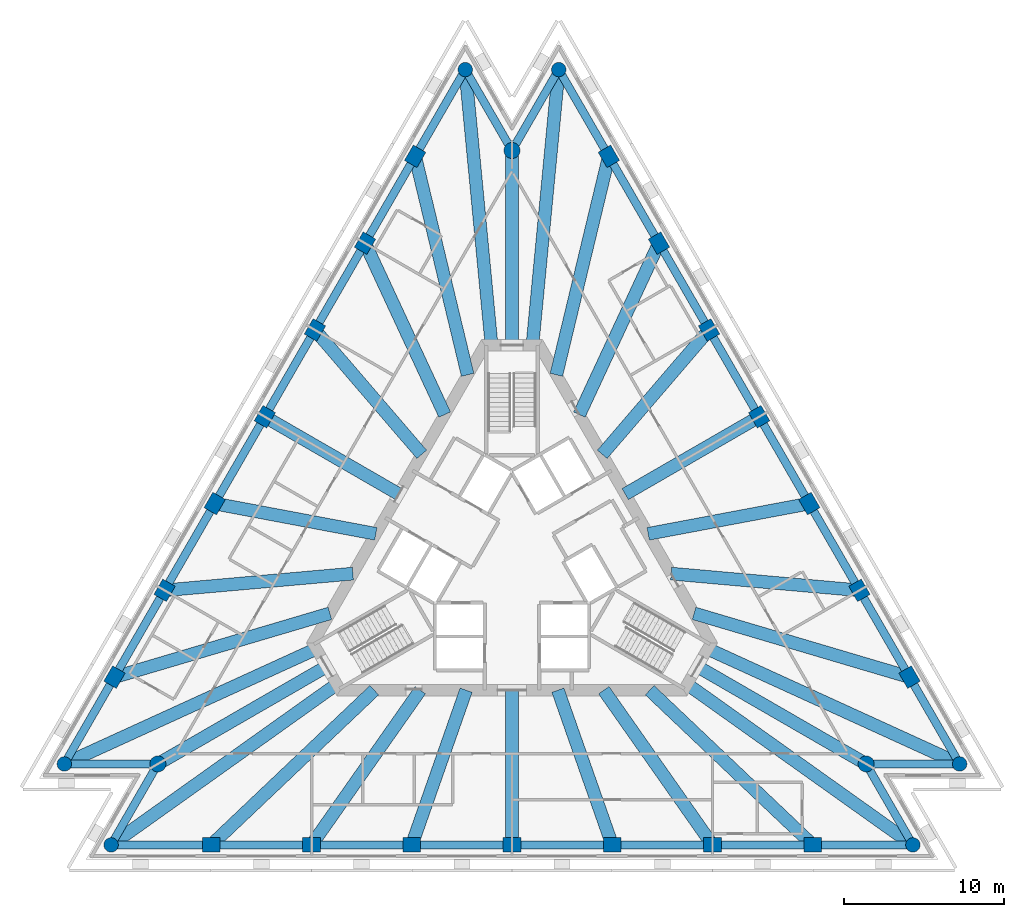
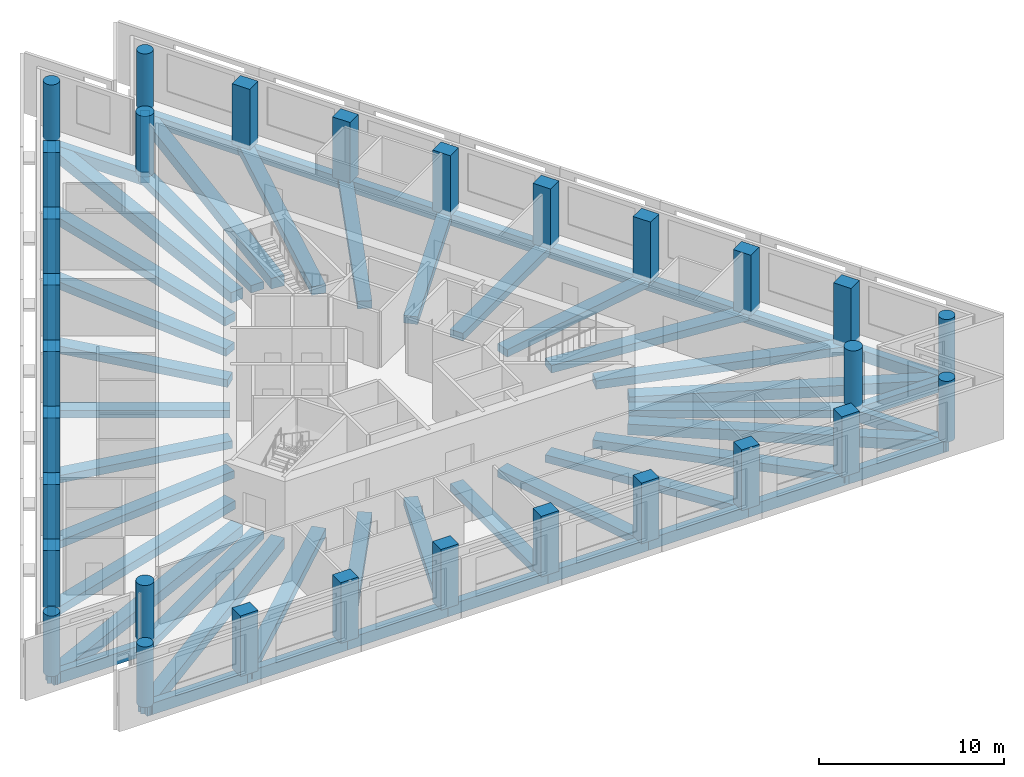
# One storey, part 1 of 10: 60 beams, 30 columns.
"""IFC4 building model written with IfcOpenShell, lengths in metres."""

import ifcopenshell
import ifcopenshell.guid

model = None  # the IFC model being written
_history = None  # IfcOwnerHistory: only IFC2X3 demands one
_inside = {}  # id of a spatial element -> (the spatial element, [elements in it])
_under = {}  # id of a project, library or spatial element -> (it, [spatial elements below it])
_declared = {}  # id of a project -> (the project, [libraries it declares])
_typed = {}  # id of a type object -> (the type object, [elements of that type])
_made_of = {}  # id of a material, layer set ... -> (it, [elements and type objects made of it])


def new_model(schema):
    """Start an empty IFC model of exactly this schema.

    Asked for "IFC4X3", IfcOpenShell would pick the latest addendum, in which some entities
    have other attributes; the version numbers below select the first issue.
    IFC2X3 requires an IfcOwnerHistory on every rooted entity: one is made here for all.
    """
    global model, _history
    if schema == "IFC4X3":
        model = ifcopenshell.file(schema_version=(4, 3, 0, 0))
    else:
        model = ifcopenshell.file(schema=schema)
    _inside.clear()
    _under.clear()
    _declared.clear()
    _typed.clear()
    _made_of.clear()
    _history = None
    if model.schema == "IFC2X3":
        org = make("IfcOrganization", Name="unknown")
        user = make(
            "IfcPersonAndOrganization",
            ThePerson=make("IfcPerson", FamilyName="unknown"),
            TheOrganization=org,
        )
        app = make(
            "IfcApplication",
            ApplicationDeveloper=org,
            Version="unknown",
            ApplicationFullName="unknown",
            ApplicationIdentifier="unknown",
        )
        _history = make(
            "IfcOwnerHistory",
            OwningUser=user,
            OwningApplication=app,
            ChangeAction="ADDED",
            CreationDate=0,
        )
    return model


def make(cls, **values):
    """One entity of the class cls with the attributes given. An attribute that is None is left unset."""
    return model.create_entity(
        cls, **{name: value for name, value in values.items() if value is not None}
    )


def rooted(cls, **values):
    """An entity with a GlobalId (a new one), such as an element, a storey or a relation."""
    return make(cls, GlobalId=ifcopenshell.guid.new(), OwnerHistory=_history, **values)


def si_unit(unit_type, name, prefix=None):
    """IfcSIUnit, for example si_unit("LENGTHUNIT", "METRE", prefix="MILLI")."""
    return make("IfcSIUnit", UnitType=unit_type, Prefix=prefix, Name=name)


def assignment(units):
    """IfcUnitAssignment: the units of a project."""
    return None if units is None else make("IfcUnitAssignment", Units=units)


def point(xyz):
    """IfcCartesianPoint."""
    return None if xyz is None else make("IfcCartesianPoint", Coordinates=xyz)


def direction(xyz):
    """IfcDirection."""
    return None if xyz is None else make("IfcDirection", DirectionRatios=xyz)


def frame(location, z_axis=None, x_axis=None):
    """IfcAxis2Placement3D, a coordinate frame: its origin and axes. An axis left out is left unset."""
    return make(
        "IfcAxis2Placement3D",
        Location=point(location),
        Axis=direction(z_axis),
        RefDirection=direction(x_axis),
    )


def frame_2d(location, x_axis=None):
    """IfcAxis2Placement2D, a coordinate frame in the plane: its origin and x axis."""
    return make(
        "IfcAxis2Placement2D", Location=point(location), RefDirection=direction(x_axis)
    )


def origin():
    """The frame at (0, 0, 0) with its axes left unset."""
    return frame((0.0, 0.0, 0.0))


def origin_2d():
    """The frame at (0, 0) in the plane with its x axis left unset."""
    return frame_2d((0.0, 0.0))


def place(relative_to, where):
    """IfcLocalPlacement: puts the frame where relative to a parent placement (None: the world)."""
    return make(
        "IfcLocalPlacement", PlacementRelTo=relative_to, RelativePlacement=where
    )


def context(
    kind, dimensions, precision=None, world=None, true_north=None, identifier=None
):
    """IfcGeometricRepresentationContext, for example the 3D "Model" context."""
    return make(
        "IfcGeometricRepresentationContext",
        ContextIdentifier=identifier,
        ContextType=kind,
        CoordinateSpaceDimension=dimensions,
        Precision=precision,
        WorldCoordinateSystem=world,
        TrueNorth=true_north,
    )


def subcontext(parent, identifier, kind, view, scale=None):
    """IfcGeometricRepresentationSubContext, for example "Body" below "Model"."""
    return make(
        "IfcGeometricRepresentationSubContext",
        ContextIdentifier=identifier,
        ContextType=kind,
        ParentContext=parent,
        TargetScale=scale,
        TargetView=view,
    )


def project(units=None, contexts=None):
    """IfcProject with its units and contexts."""
    return rooted(
        "IfcProject",
        Name="project",
        RepresentationContexts=contexts,
        UnitsInContext=assignment(units),
    )


def spatial(cls, under=None, at=None, **own):
    """A site, building, storey or space (cls), placed at a placement, below another one or the project."""
    s = rooted(cls, ObjectPlacement=at, **own)
    if under is not None:
        _under.setdefault(under.id(), (under, []))[1].append(s)
    return s


def profile(cls, at=None, kind="AREA", **sizes):
    """A parametric profile (cls). Its sizes go by their IFC names, for example OverallWidth=200.0."""
    return make(cls, ProfileType=kind, Position=at, **sizes)


def rectangle(**sizes):
    """IfcRectangleProfileDef."""
    return profile("IfcRectangleProfileDef", **sizes)


def circle(**sizes):
    """IfcCircleProfileDef."""
    return profile("IfcCircleProfileDef", **sizes)


def extrude(swept, where, along, depth):
    """IfcExtrudedAreaSolid: the profile swept, set in the frame where, extruded along a direction by depth."""
    return make(
        "IfcExtrudedAreaSolid",
        SweptArea=swept,
        Position=where,
        ExtrudedDirection=direction(along),
        Depth=depth,
    )


def shape(context_of_items, identifier, shape_type, items):
    """IfcShapeRepresentation: the items that make up one representation, for example the "Body"."""
    return make(
        "IfcShapeRepresentation",
        ContextOfItems=context_of_items,
        RepresentationIdentifier=identifier,
        RepresentationType=shape_type,
        Items=items,
    )


def material(Name=None, Category=None):
    """IfcMaterial."""
    return make("IfcMaterial", Name=Name, Category=Category)


def material_profile(
    of_material, cross_section, Name=None, Category=None, Priority=None
):
    """IfcMaterialProfile: a cross section and its material."""
    return make(
        "IfcMaterialProfile",
        Name=Name,
        Material=of_material,
        Profile=cross_section,
        Priority=Priority,
        Category=Category,
    )


def profile_set(profiles, Name=None, composite=None):
    """IfcMaterialProfileSet."""
    return make(
        "IfcMaterialProfileSet",
        Name=Name,
        MaterialProfiles=profiles,
        CompositeProfile=composite,
    )


def made_of(thing, what):
    """Note that an element or type object is made of a material, layer set ...; save() writes the relation."""
    if what is not None:
        _made_of.setdefault(what.id(), (what, []))[1].append(thing)
    return thing


def type_object(cls, material=None, **own):
    """A type object (cls), such as IfcWallType, which elements share."""
    return made_of(rooted(cls, **own), material)


def element(
    cls,
    number,
    at=None,
    inside=None,
    cuts=None,
    type_object=None,
    material=None,
    context=None,
    identifier="Body",
    shape_type=None,
    held_by="IfcProductDefinitionShape",
    body=None,
    shapes=None,
    **own,
):
    """One element of the class cls, such as IfcWall. Its Tag is "e" and its number.

    at: its placement. inside: the storey or other place that contains it. cuts: it is an
    opening in that element (IfcRelVoidsElement). A single representation is given by context,
    identifier, shape_type and body (its items); several are given by shapes. held_by: the class
    of the entity that holds the representations. save() writes the other relations.
    """
    e = rooted(cls, Tag="e%d" % number, ObjectPlacement=at, **own)
    if body is not None:
        shapes = [shape(context, identifier, shape_type, body)]
    if shapes is not None:
        e.Representation = make(held_by, Representations=shapes)
    if inside is not None:
        _inside.setdefault(inside.id(), (inside, []))[1].append(e)
    if cuts is not None:
        rooted(
            "IfcRelVoidsElement", RelatingBuildingElement=cuts, RelatedOpeningElement=e
        )
    if type_object is not None:
        _typed.setdefault(type_object.id(), (type_object, []))[1].append(e)
    return made_of(e, material)


def aggregate(whole, parts):
    """IfcRelAggregates: a whole, such as a stair, and the parts it consists of."""
    return rooted("IfcRelAggregates", RelatingObject=whole, RelatedObjects=parts)


def save(model, path):
    """Write the relations noted so far, then the file.

    IfcRelAggregates (storeys below a building ...), IfcRelContainedInSpatialStructure (elements
    in a storey), IfcRelDefinesByType, IfcRelAssociatesMaterial and IfcRelDeclares: one each for
    every whole, place, type object, material and project.
    """
    for whole, parts in _under.values():
        aggregate(whole, parts)
    for where, things in _inside.values():
        rooted(
            "IfcRelContainedInSpatialStructure",
            RelatedElements=things,
            RelatingStructure=where,
        )
    for kind, things in _typed.values():
        rooted("IfcRelDefinesByType", RelatedObjects=things, RelatingType=kind)
    for what, things in _made_of.values():
        rooted("IfcRelAssociatesMaterial", RelatedObjects=things, RelatingMaterial=what)
    for by, libraries in _declared.values():
        rooted("IfcRelDeclares", RelatingContext=by, RelatedDefinitions=libraries)
    model.write(path)


model = new_model("IFC4")

# Units and contexts
model_context = context("Model", 3, precision=1e-05, world=origin(), true_north=direction((0.0, 1.0)))
body_context = subcontext(model_context, "Body", "Model", "MODEL_VIEW")
ifc_project = project(units=[si_unit("LENGTHUNIT", "METRE"), si_unit("AREAUNIT", "SQUARE_METRE"), si_unit("VOLUMEUNIT", "CUBIC_METRE"), si_unit("PLANEANGLEUNIT", "RADIAN"), si_unit("MASSUNIT", "GRAM", prefix="KILO")], contexts=[model_context])

# Site, building, storey
site_placement = place(None, origin())
site = spatial("IfcSite", under=ifc_project, at=site_placement, CompositionType="ELEMENT")
building_placement = place(site_placement, origin())
building = spatial("IfcBuilding", under=site, at=building_placement, Name="Triada Interchange Tower", CompositionType="ELEMENT")
storey_placement = place(building_placement, frame((0.0, 0.0, 191.300048828125)))
storey = spatial("IfcBuildingStorey", under=building, at=storey_placement, Name="L44", CompositionType="ELEMENT", Elevation=191.300048828125)

# Columns
ifc_material = material(Name="Concrete C50/60", Category="concrete")
ifc_material_profile_1 = material_profile(ifc_material, rectangle(XDim=1.10009765625, YDim=0.89990234375, at=origin_2d()), Name="RC 1100x900")
ifc_profile_set_1 = profile_set([ifc_material_profile_1], Name="Concrete C50/60")
column_type_1 = type_object("IfcColumnType", Name="Column C face RC 1100x900", PredefinedType="COLUMN", material=ifc_profile_set_1)
for number, where, z_axis, x_axis, name in (
    (1, (-6.0380859375, 25.131103515625, -0.300048828125), (0.0, 0.0, 1.0), (0.5, 0.866025403784, 0.0), "Column CC02 L44"),
    (2, (-9.162109375, 19.719970703125, -0.300048828125), (0.0, 0.0, 1.0), (0.5, 0.866025403784, 0.0), "Column CC03 L44"),
    (3, (-12.285888671875, 14.30908203125, -0.300048828125), (0.0, 0.0, 1.0), (0.5, 0.866025403784, 0.0), "Column CC04 L44"),
    (4, (-15.409912109375, 8.89794921875, -0.300048828125), (0.0, 0.0, 1.0), (0.5, 0.866025403784, 0.0), "Column CC05 L44"),
    (5, (-18.534912109375, 3.486083984375, -0.300048828125), (0.0, 0.0, 1.0), (0.5, 0.866025403784, 0.0), "Column CC06 L44"),
    (6, (-21.658935546875, -1.925048828125, -0.300048828125), (0.0, 0.0, 1.0), (0.5, 0.866025403784, 0.0), "Column CC07 L44"),
    (7, (-24.782958984375, -7.3359375, -0.300048828125), (0.0, 0.0, 1.0), (0.5, 0.866025403784, 0.0), "Column CC08 L44"),
    (8, (-18.7451171875, -17.794921875, -0.300048828125), (0.0, 0.0, 1.0), (1.0, 0.0, 0.0), "Column CC11 L44"),
    (9, (-12.49609375, -17.794921875, -0.300048828125), (0.0, 0.0, 1.0), (1.0, 0.0, 0.0), "Column CC12 L44"),
    (10, (-6.248046875, -17.794921875, -0.300048828125), (0.0, 0.0, 1.0), (1.0, 0.0, 0.0), "Column CC13 L44"),
    (11, (0.0, -17.794921875, -0.300048828125), (0.0, 0.0, 1.0), (1.0, 0.0, 0.0), "Column CC14 L44"),
    (12, (6.248046875, -17.794921875, -0.300048828125), (0.0, 0.0, 1.0), (1.0, 0.0, 0.0), "Column CC15 L44"),
    (13, (12.4970703125, -17.794921875, -0.300048828125), (0.0, 0.0, 1.0), (1.0, 0.0, 0.0), "Column CC16 L44"),
    (14, (18.7451171875, -17.794921875, -0.300048828125), (0.0, 0.0, 1.0), (1.0, 0.0, 0.0), "Column CC17 L44"),
    (15, (24.782958984375, -7.3359375, -0.300048828125), (0.0, 0.0, 1.0), (-0.5, 0.866025403784, 0.0), "Column CC20 L44"),
    (16, (21.658935546875, -1.925048828125, -0.300048828125), (0.0, 0.0, 1.0), (-0.5, 0.866025403784, 0.0), "Column CC21 L44"),
    (17, (18.534912109375, 3.486083984375, -0.300048828125), (0.0, 0.0, 1.0), (-0.5, 0.866025403784, 0.0), "Column CC22 L44"),
    (18, (15.409912109375, 8.89794921875, -0.300048828125), (0.0, 0.0, 1.0), (-0.5, 0.866025403784, 0.0), "Column CC23 L44"),
    (19, (12.285888671875, 14.30908203125, -0.300048828125), (0.0, 0.0, 1.0), (-0.5, 0.866025403784, 0.0), "Column CC24 L44"),
    (20, (9.162109375, 19.719970703125, -0.300048828125), (0.0, 0.0, 1.0), (-0.5, 0.866025403784, 0.0), "Column CC25 L44"),
    (21, (6.0380859375, 25.131103515625, -0.300048828125), (0.0, 0.0, 1.0), (-0.5, 0.866025403784, 0.0), "Column CC26 L44"),
):
    element("IfcColumn", number, at=place(storey_placement, frame(where, z_axis=z_axis, x_axis=x_axis)), inside=storey, type_object=column_type_1, Name=name, PredefinedType="COLUMN", context=body_context, shape_type="SweptSolid", body=[
        extrude(rectangle(XDim=1.10009765625, YDim=0.89990234375, at=origin_2d()), origin(), (0.0, 0.0, 1.0), 4.0),
    ])
ifc_material_profile_2 = material_profile(ifc_material, circle(Radius=0.449951171875, at=origin_2d()), Name="RC D900")
ifc_profile_set_2 = profile_set([ifc_material_profile_2], Name="Concrete C50/60")
column_type_2 = type_object("IfcColumnType", Name="End column C RC D900", PredefinedType="COLUMN", material=ifc_profile_set_2)
for number, where, z_axis, x_axis, name in (
    (22, (-2.9140625, 30.5419921875, -0.300048828125), (0.0, 0.0, 1.0), (0.5, 0.866025403784, 0.0), "Column CC01 L44"),
    (23, (-27.906982421875, -12.7470703125, -0.300048828125), (0.0, 0.0, 1.0), (0.5, 0.866025403784, 0.0), "Column CC09 L44"),
    (24, (-24.992919921875, -17.794921875, -0.300048828125), (0.0, 0.0, 1.0), (1.0, 0.0, 0.0), "Column CC10 L44"),
    (25, (24.992919921875, -17.794921875, -0.300048828125), (0.0, 0.0, 1.0), (1.0, 0.0, 0.0), "Column CC18 L44"),
    (26, (27.906982421875, -12.7470703125, -0.300048828125), (0.0, 0.0, 1.0), (-0.5, 0.866025403784, 0.0), "Column CC19 L44"),
    (27, (2.9140625, 30.5419921875, -0.300048828125), (0.0, 0.0, 1.0), (-0.5, 0.866025403784, 0.0), "Column CC27 L44"),
):
    element("IfcColumn", number, at=place(storey_placement, frame(where, z_axis=z_axis, x_axis=x_axis)), inside=storey, type_object=column_type_2, Name=name, PredefinedType="COLUMN", context=body_context, shape_type="SweptSolid", body=[
        extrude(circle(Radius=0.449951171875, at=origin_2d()), origin(), (0.0, 0.0, 1.0), 4.0),
    ])
ifc_material_profile_3 = material_profile(ifc_material, circle(Radius=0.5, at=origin_2d()), Name="RC D1000")
ifc_profile_set_3 = profile_set([ifc_material_profile_3], Name="Concrete C50/60")
column_type_3 = type_object("IfcColumnType", Name="Mega column C RC D1000", PredefinedType="COLUMN", material=ifc_profile_set_3)
for number, where, z_axis, x_axis, name in (
    (28, (0.0, 25.4951171875, -0.300048828125), (0.0, 0.0, 1.0), (1.0, 0.0, 0.0), "Column MC1 L44"),
    (29, (-22.0791015625, -12.7470703125, -0.300048828125), (0.0, 0.0, 1.0), (1.0, 0.0, 0.0), "Column MC2 L44"),
    (30, (22.0791015625, -12.7470703125, -0.300048828125), (0.0, 0.0, 1.0), (1.0, 0.0, 0.0), "Column MC3 L44"),
):
    element("IfcColumn", number, at=place(storey_placement, frame(where, z_axis=z_axis, x_axis=x_axis)), inside=storey, type_object=column_type_3, Name=name, PredefinedType="COLUMN", context=body_context, shape_type="SweptSolid", body=[
        extrude(circle(Radius=0.5, at=origin_2d()), origin(), (0.0, 0.0, 1.0), 4.0),
    ])

# Beams
ifc_material_profile_4 = material_profile(ifc_material, rectangle(XDim=0.800048828125, YDim=0.5, at=origin_2d()), Name="RC 800x500")
ifc_profile_set_4 = profile_set([ifc_material_profile_4], Name="Concrete C50/60")
beam_type_1 = type_object("IfcBeamType", Name="Radial band beam C RC 800x500", PredefinedType="BEAM", material=ifc_profile_set_4)
beam_1_placement = place(storey_placement, frame((-9.162109375, 19.719970703125, -0.550048828125), z_axis=(0.421375439304, -0.906886287884, 0.0), x_axis=(0.906886287884, 0.421375439304, 0.0)))
element("IfcBeam", 31, at=beam_1_placement, inside=storey, type_object=beam_type_1, Name="Radial band beam BC03 L44", PredefinedType="BEAM", context=body_context, shape_type="SweptSolid", body=[
    extrude(rectangle(XDim=0.800048828125, YDim=0.5, at=origin_2d()), origin(), (0.0, 0.0, 1.0), 11.785400390625),
])
beam_2_placement = place(storey_placement, frame((-12.285888671875, 14.30908203125, -0.550048828125), z_axis=(0.651450059904, -0.758691517978, 0.0), x_axis=(0.758691517978, 0.651450059904, 0.0)))
element("IfcBeam", 32, at=beam_2_placement, inside=storey, type_object=beam_type_1, Name="Radial band beam BC04 L44", PredefinedType="BEAM", context=body_context, shape_type="SweptSolid", body=[
    extrude(rectangle(XDim=0.800048828125, YDim=0.5, at=origin_2d()), origin(), (0.0, 0.0, 1.0), 10.2216796875),
])
beam_3_placement = place(storey_placement, frame((-15.409912109375, 8.89794921875, -0.550048828125), z_axis=(0.865976899387, -0.500084002672, 0.0), x_axis=(0.500084002672, 0.865976899387, 0.0)))
element("IfcBeam", 33, at=beam_3_placement, inside=storey, type_object=beam_type_1, Name="Radial band beam BC05 L44", PredefinedType="BEAM", context=body_context, shape_type="SweptSolid", body=[
    extrude(rectangle(XDim=0.800048828125, YDim=0.5, at=origin_2d()), origin(), (0.0, 0.0, 1.0), 9.644287109375),
])
beam_4_placement = place(storey_placement, frame((-18.534912109375, 3.486083984375, -0.550048828125), z_axis=(0.982773627187, -0.18481341322, 0.0), x_axis=(0.18481341322, 0.982773627187, 0.0)))
element("IfcBeam", 34, at=beam_4_placement, inside=storey, type_object=beam_type_1, Name="Radial band beam BC06 L44", PredefinedType="BEAM", context=body_context, shape_type="SweptSolid", body=[
    extrude(rectangle(XDim=0.800048828125, YDim=0.5, at=origin_2d()), origin(), (0.0, 0.0, 1.0), 10.221923828125),
])
beam_5_placement = place(storey_placement, frame((-21.658935546875, -1.925048828125, -0.550048828125), z_axis=(0.996076374938, 0.088497769976, 0.0), x_axis=(-0.088497769976, 0.996076374938, 0.0)))
element("IfcBeam", 35, at=beam_5_placement, inside=storey, type_object=beam_type_1, Name="Radial band beam BC07 L44", PredefinedType="BEAM", context=body_context, shape_type="SweptSolid", body=[
    extrude(rectangle(XDim=0.800048828125, YDim=0.5, at=origin_2d()), origin(), (0.0, 0.0, 1.0), 11.78515625),
])
beam_6_placement = place(storey_placement, frame((-22.0791015625, -12.7470703125, -0.550048828125), z_axis=(0.866026229868, 0.499998569178, 0.0), x_axis=(-0.499998569178, 0.866026229868, 0.0)))
element("IfcBeam", 36, at=beam_6_placement, inside=storey, type_object=beam_type_1, Name="Radial band beam BC10 L44", PredefinedType="BEAM", context=body_context, shape_type="SweptSolid", body=[
    extrude(rectangle(XDim=0.800048828125, YDim=0.5, at=origin_2d()), origin(), (0.0, 0.0, 1.0), 12.14404296875),
])
beam_7_placement = place(storey_placement, frame((-12.49609375, -17.794921875, -0.550048828125), z_axis=(0.574696251611, 0.818366799414, 0.0), x_axis=(-0.818366799414, 0.574696251611, 0.0)))
element("IfcBeam", 37, at=beam_7_placement, inside=storey, type_object=beam_type_1, Name="Radial band beam BC13 L44", PredefinedType="BEAM", context=body_context, shape_type="SweptSolid", body=[
    extrude(rectangle(XDim=0.800048828125, YDim=0.5, at=origin_2d()), origin(), (0.0, 0.0, 1.0), 11.78564453125),
])
beam_8_placement = place(storey_placement, frame((-6.248046875, -17.794921875, -0.550048828125), z_axis=(0.3312417903, 0.943545905804, 0.0), x_axis=(-0.943545905804, 0.3312417903, 0.0)))
element("IfcBeam", 38, at=beam_8_placement, inside=storey, type_object=beam_type_1, Name="Radial band beam BC14 L44", PredefinedType="BEAM", context=body_context, shape_type="SweptSolid", body=[
    extrude(rectangle(XDim=0.800048828125, YDim=0.5, at=origin_2d()), origin(), (0.0, 0.0, 1.0), 10.22216796875),
])
beam_9_placement = place(storey_placement, frame((0.0, -17.794921875, -0.550048828125), z_axis=(0.0, 1.0, 0.0), x_axis=(-1.0, 0.0, 0.0)))
element("IfcBeam", 39, at=beam_9_placement, inside=storey, type_object=beam_type_1, Name="Radial band beam BC15 L44", PredefinedType="BEAM", context=body_context, shape_type="SweptSolid", body=[
    extrude(rectangle(XDim=0.800048828125, YDim=0.5, at=origin_2d()), origin(), (0.0, 0.0, 1.0), 9.64501953125),
])
beam_10_placement = place(storey_placement, frame((6.248046875, -17.794921875, -0.550048828125), z_axis=(-0.3312417903, 0.943545905804, 0.0), x_axis=(-0.943545905804, -0.3312417903, 0.0)))
element("IfcBeam", 40, at=beam_10_placement, inside=storey, type_object=beam_type_1, Name="Radial band beam BC16 L44", PredefinedType="BEAM", context=body_context, shape_type="SweptSolid", body=[
    extrude(rectangle(XDim=0.800048828125, YDim=0.5, at=origin_2d()), origin(), (0.0, 0.0, 1.0), 10.22216796875),
])
beam_11_placement = place(storey_placement, frame((12.4970703125, -17.794921875, -0.550048828125), z_axis=(-0.574682378026, 0.818376541933, 0.0), x_axis=(-0.818376541933, -0.574682378026, 0.0)))
element("IfcBeam", 41, at=beam_11_placement, inside=storey, type_object=beam_type_1, Name="Radial band beam BC17 L44", PredefinedType="BEAM", context=body_context, shape_type="SweptSolid", body=[
    extrude(rectangle(XDim=0.800048828125, YDim=0.5, at=origin_2d()), origin(), (0.0, 0.0, 1.0), 11.78564453125),
])
beam_12_placement = place(storey_placement, frame((22.0791015625, -12.7470703125, -0.550048828125), z_axis=(-0.866026229868, 0.499998569178, 0.0), x_axis=(-0.499998569178, -0.866026229868, 0.0)))
element("IfcBeam", 42, at=beam_12_placement, inside=storey, type_object=beam_type_1, Name="Radial band beam BC20 L44", PredefinedType="BEAM", context=body_context, shape_type="SweptSolid", body=[
    extrude(rectangle(XDim=0.800048828125, YDim=0.5, at=origin_2d()), origin(), (0.0, 0.0, 1.0), 12.14404296875),
])
beam_13_placement = place(storey_placement, frame((21.658935546875, -1.925048828125, -0.550048828125), z_axis=(-0.996076374938, 0.088497769976, 0.0), x_axis=(-0.088497769976, -0.996076374938, 0.0)))
element("IfcBeam", 43, at=beam_13_placement, inside=storey, type_object=beam_type_1, Name="Radial band beam BC23 L44", PredefinedType="BEAM", context=body_context, shape_type="SweptSolid", body=[
    extrude(rectangle(XDim=0.800048828125, YDim=0.5, at=origin_2d()), origin(), (0.0, 0.0, 1.0), 11.78515625),
])
beam_14_placement = place(storey_placement, frame((18.534912109375, 3.486083984375, -0.550048828125), z_axis=(-0.982773627187, -0.18481341322, 0.0), x_axis=(0.18481341322, -0.982773627187, 0.0)))
element("IfcBeam", 44, at=beam_14_placement, inside=storey, type_object=beam_type_1, Name="Radial band beam BC24 L44", PredefinedType="BEAM", context=body_context, shape_type="SweptSolid", body=[
    extrude(rectangle(XDim=0.800048828125, YDim=0.5, at=origin_2d()), origin(), (0.0, 0.0, 1.0), 10.221923828125),
])
beam_15_placement = place(storey_placement, frame((15.409912109375, 8.89794921875, -0.550048828125), z_axis=(-0.865976899387, -0.500084002672, 0.0), x_axis=(0.500084002672, -0.865976899387, 0.0)))
element("IfcBeam", 45, at=beam_15_placement, inside=storey, type_object=beam_type_1, Name="Radial band beam BC25 L44", PredefinedType="BEAM", context=body_context, shape_type="SweptSolid", body=[
    extrude(rectangle(XDim=0.800048828125, YDim=0.5, at=origin_2d()), origin(), (0.0, 0.0, 1.0), 9.644287109375),
])
beam_16_placement = place(storey_placement, frame((12.285888671875, 14.30908203125, -0.550048828125), z_axis=(-0.651450059904, -0.758691517978, 0.0), x_axis=(0.758691517978, -0.651450059904, 0.0)))
element("IfcBeam", 46, at=beam_16_placement, inside=storey, type_object=beam_type_1, Name="Radial band beam BC26 L44", PredefinedType="BEAM", context=body_context, shape_type="SweptSolid", body=[
    extrude(rectangle(XDim=0.800048828125, YDim=0.5, at=origin_2d()), origin(), (0.0, 0.0, 1.0), 10.2216796875),
])
beam_17_placement = place(storey_placement, frame((9.162109375, 19.719970703125, -0.550048828125), z_axis=(-0.421375439304, -0.906886287884, 0.0), x_axis=(0.906886287884, -0.421375439304, 0.0)))
element("IfcBeam", 47, at=beam_17_placement, inside=storey, type_object=beam_type_1, Name="Radial band beam BC27 L44", PredefinedType="BEAM", context=body_context, shape_type="SweptSolid", body=[
    extrude(rectangle(XDim=0.800048828125, YDim=0.5, at=origin_2d()), origin(), (0.0, 0.0, 1.0), 11.785400390625),
])
beam_18_placement = place(storey_placement, frame((0.0, 25.4951171875, -0.550048828125), z_axis=(0.0, -1.0, 0.0), x_axis=(1.0, 0.0, 0.0)))
element("IfcBeam", 48, at=beam_18_placement, inside=storey, type_object=beam_type_1, Name="Radial band beam BC30 L44", PredefinedType="BEAM", context=body_context, shape_type="SweptSolid", body=[
    extrude(rectangle(XDim=0.800048828125, YDim=0.5, at=origin_2d()), origin(), (0.0, 0.0, 1.0), 12.14501953125),
])
ifc_material_profile_5 = material_profile(ifc_material, rectangle(XDim=0.800048828125, YDim=0.550048828125, at=origin_2d()), Name="RC 800x550")
ifc_profile_set_5 = profile_set([ifc_material_profile_5], Name="Concrete C50/60")
beam_type_2 = type_object("IfcBeamType", Name="Radial band beam C RC 800x550", PredefinedType="BEAM", material=ifc_profile_set_5)
beam_19_placement = place(storey_placement, frame((-6.0380859375, 25.131103515625, -0.574951171875), z_axis=(0.233651758027, -0.972320346373, 0.0), x_axis=(0.972320346373, 0.233651758027, 0.0)))
element("IfcBeam", 49, at=beam_19_placement, inside=storey, type_object=beam_type_2, Name="Radial band beam BC02 L44", PredefinedType="BEAM", context=body_context, shape_type="SweptSolid", body=[
    extrude(rectangle(XDim=0.800048828125, YDim=0.550048828125, at=origin_2d()), origin(), (0.0, 0.0, 1.0), 14.0087890625),
])
beam_20_placement = place(storey_placement, frame((-24.782958984375, -7.3359375, -0.574951171875), z_axis=(0.958875616095, 0.283826624645, 0.0), x_axis=(-0.283826624645, 0.958875616095, 0.0)))
element("IfcBeam", 50, at=beam_20_placement, inside=storey, type_object=beam_type_2, Name="Radial band beam BC08 L44", PredefinedType="BEAM", context=body_context, shape_type="SweptSolid", body=[
    extrude(rectangle(XDim=0.800048828125, YDim=0.550048828125, at=origin_2d()), origin(), (0.0, 0.0, 1.0), 14.008056640625),
])
for number, where, z_axis, x_axis, name in (
    (51, (-18.7451171875, -17.794921875, -0.574951171875), (0.725253488125, 0.688481937281, 0.0), (-0.688481937281, 0.725253488125, 0.0), "Radial band beam BC12 L44"),
    (52, (18.7451171875, -17.794921875, -0.574951171875), (-0.725253488125, 0.688481937281, 0.0), (-0.688481937281, -0.725253488125, 0.0), "Radial band beam BC18 L44"),
):
    element("IfcBeam", number, at=place(storey_placement, frame(where, z_axis=z_axis, x_axis=x_axis)), inside=storey, type_object=beam_type_2, Name=name, PredefinedType="BEAM", context=body_context, shape_type="SweptSolid", body=[
        extrude(rectangle(XDim=0.800048828125, YDim=0.550048828125, at=origin_2d()), origin(), (0.0, 0.0, 1.0), 14.009033203125),
    ])
beam_21_placement = place(storey_placement, frame((24.782958984375, -7.3359375, -0.574951171875), z_axis=(-0.958875616095, 0.283826624645, 0.0), x_axis=(-0.283826624645, -0.958875616095, 0.0)))
element("IfcBeam", 53, at=beam_21_placement, inside=storey, type_object=beam_type_2, Name="Radial band beam BC22 L44", PredefinedType="BEAM", context=body_context, shape_type="SweptSolid", body=[
    extrude(rectangle(XDim=0.800048828125, YDim=0.550048828125, at=origin_2d()), origin(), (0.0, 0.0, 1.0), 14.008056640625),
])
beam_22_placement = place(storey_placement, frame((6.0380859375, 25.131103515625, -0.574951171875), z_axis=(-0.233651758027, -0.972320346373, 0.0), x_axis=(0.972320346373, -0.233651758027, 0.0)))
element("IfcBeam", 54, at=beam_22_placement, inside=storey, type_object=beam_type_2, Name="Radial band beam BC28 L44", PredefinedType="BEAM", context=body_context, shape_type="SweptSolid", body=[
    extrude(rectangle(XDim=0.800048828125, YDim=0.550048828125, at=origin_2d()), origin(), (0.0, 0.0, 1.0), 14.0087890625),
])
ifc_material_profile_6 = material_profile(ifc_material, rectangle(XDim=0.800048828125, YDim=0.699951171875, at=origin_2d()), Name="RC 800x700")
ifc_profile_set_6 = profile_set([ifc_material_profile_6], Name="Concrete C50/60")
beam_type_3 = type_object("IfcBeamType", Name="Radial band beam C RC 800x700", PredefinedType="BEAM", material=ifc_profile_set_6)
for number, where, z_axis, x_axis, name in (
    (55, (-2.9140625, 30.5419921875, -0.650146484375), (0.094970535987, -0.995480083826, 0.0), (0.995480083826, 0.094970535987, 0.0), "Radial band beam BC01 L44"),
    (56, (-27.906982421875, -12.7470703125, -0.650146484375), (0.909610200258, 0.415462734294, 0.0), (-0.415462734294, 0.909610200258, 0.0), "Radial band beam BC09 L44"),
):
    element("IfcBeam", number, at=place(storey_placement, frame(where, z_axis=z_axis, x_axis=x_axis)), inside=storey, type_object=beam_type_3, Name=name, PredefinedType="BEAM", context=body_context, shape_type="SweptSolid", body=[
        extrude(rectangle(XDim=0.800048828125, YDim=0.699951171875, at=origin_2d()), origin(), (0.0, 0.0, 1.0), 17.27001953125),
    ])
for number, where, z_axis, x_axis, name in (
    (57, (-24.992919921875, -17.794921875, -0.650146484375), (0.814598932614, 0.580024636532, 0.0), (-0.580024636532, 0.814598932614, 0.0), "Radial band beam BC11 L44"),
    (58, (24.992919921875, -17.794921875, -0.650146484375), (-0.814598932614, 0.580024636532, 0.0), (-0.580024636532, -0.814598932614, 0.0), "Radial band beam BC19 L44"),
):
    element("IfcBeam", number, at=place(storey_placement, frame(where, z_axis=z_axis, x_axis=x_axis)), inside=storey, type_object=beam_type_3, Name=name, PredefinedType="BEAM", context=body_context, shape_type="SweptSolid", body=[
        extrude(rectangle(XDim=0.800048828125, YDim=0.699951171875, at=origin_2d()), origin(), (0.0, 0.0, 1.0), 17.269775390625),
    ])
for number, where, z_axis, x_axis, name in (
    (59, (27.906982421875, -12.7470703125, -0.650146484375), (-0.909610200258, 0.415462734294, 0.0), (-0.415462734294, -0.909610200258, 0.0), "Radial band beam BC21 L44"),
    (60, (2.9140625, 30.5419921875, -0.650146484375), (-0.094970535987, -0.995480083826, 0.0), (0.995480083826, -0.094970535987, 0.0), "Radial band beam BC29 L44"),
):
    element("IfcBeam", number, at=place(storey_placement, frame(where, z_axis=z_axis, x_axis=x_axis)), inside=storey, type_object=beam_type_3, Name=name, PredefinedType="BEAM", context=body_context, shape_type="SweptSolid", body=[
        extrude(rectangle(XDim=0.800048828125, YDim=0.699951171875, at=origin_2d()), origin(), (0.0, 0.0, 1.0), 17.27001953125),
    ])
ifc_material_profile_7 = material_profile(ifc_material, rectangle(XDim=0.5, YDim=0.75, at=origin_2d()), Name="RC 500x750")
ifc_profile_set_7 = profile_set([ifc_material_profile_7], Name="Concrete C50/60")
beam_type_4 = type_object("IfcBeamType", Name="Spandrel beam C RC 500x750", PredefinedType="BEAM", material=ifc_profile_set_7)
beam_23_placement = place(storey_placement, frame((-2.9140625, 30.5419921875, -0.675048828125), z_axis=(-0.500005450501, -0.866022256913, 0.0), x_axis=(0.866022256913, -0.500005450501, 0.0)))
element("IfcBeam", 61, at=beam_23_placement, inside=storey, type_object=beam_type_4, Name="Spandrel beam EC01 L44", PredefinedType="BEAM", context=body_context, shape_type="SweptSolid", body=[
    extrude(rectangle(XDim=0.5, YDim=0.75, at=origin_2d()), origin(), (0.0, 0.0, 1.0), 6.248046875),
])
beam_24_placement = place(storey_placement, frame((-6.0380859375, 25.131103515625, -0.675048828125), z_axis=(-0.499988530825, -0.866032025414, 0.0), x_axis=(0.866032025414, -0.499988530825, 0.0)))
element("IfcBeam", 62, at=beam_24_placement, inside=storey, type_object=beam_type_4, Name="Spandrel beam EC02 L44", PredefinedType="BEAM", context=body_context, shape_type="SweptSolid", body=[
    extrude(rectangle(XDim=0.5, YDim=0.75, at=origin_2d()), origin(), (0.0, 0.0, 1.0), 6.248291015625),
])
beam_25_placement = place(storey_placement, frame((-9.162109375, 19.719970703125, -0.675048828125), z_axis=(-0.499976143503, -0.866039176901, 0.0), x_axis=(0.866039176901, -0.499976143503, 0.0)))
element("IfcBeam", 63, at=beam_25_placement, inside=storey, type_object=beam_type_4, Name="Spandrel beam EC03 L44", PredefinedType="BEAM", context=body_context, shape_type="SweptSolid", body=[
    extrude(rectangle(XDim=0.5, YDim=0.75, at=origin_2d()), origin(), (0.0, 0.0, 1.0), 6.247802734375),
])
beam_26_placement = place(storey_placement, frame((-12.285888671875, 14.30908203125, -0.675048828125), z_axis=(-0.499988530825, -0.866032025414, 0.0), x_axis=(0.866032025414, -0.499988530825, 0.0)))
element("IfcBeam", 64, at=beam_26_placement, inside=storey, type_object=beam_type_4, Name="Spandrel beam EC04 L44", PredefinedType="BEAM", context=body_context, shape_type="SweptSolid", body=[
    extrude(rectangle(XDim=0.5, YDim=0.75, at=origin_2d()), origin(), (0.0, 0.0, 1.0), 6.248291015625),
])
beam_27_placement = place(storey_placement, frame((-15.409912109375, 8.89794921875, -0.675048828125), z_axis=(-0.500054983052, -0.865993656977, 0.0), x_axis=(0.865993656977, -0.500054983052, 0.0)))
element("IfcBeam", 65, at=beam_27_placement, inside=storey, type_object=beam_type_4, Name="Spandrel beam EC05 L44", PredefinedType="BEAM", context=body_context, shape_type="SweptSolid", body=[
    extrude(rectangle(XDim=0.5, YDim=0.75, at=origin_2d()), origin(), (0.0, 0.0, 1.0), 6.249267578125),
])
beam_28_placement = place(storey_placement, frame((-18.534912109375, 3.486083984375, -0.675048828125), z_axis=(-0.499988530825, -0.866032025414, 0.0), x_axis=(0.866032025414, -0.499988530825, 0.0)))
element("IfcBeam", 66, at=beam_28_placement, inside=storey, type_object=beam_type_4, Name="Spandrel beam EC06 L44", PredefinedType="BEAM", context=body_context, shape_type="SweptSolid", body=[
    extrude(rectangle(XDim=0.5, YDim=0.75, at=origin_2d()), origin(), (0.0, 0.0, 1.0), 6.248291015625),
])
beam_29_placement = place(storey_placement, frame((-21.658935546875, -1.925048828125, -0.675048828125), z_axis=(-0.500005450501, -0.866022256913, 0.0), x_axis=(0.866022256913, -0.500005450501, 0.0)))
element("IfcBeam", 67, at=beam_29_placement, inside=storey, type_object=beam_type_4, Name="Spandrel beam EC07 L44", PredefinedType="BEAM", context=body_context, shape_type="SweptSolid", body=[
    extrude(rectangle(XDim=0.5, YDim=0.75, at=origin_2d()), origin(), (0.0, 0.0, 1.0), 6.248046875),
])
beam_30_placement = place(storey_placement, frame((-24.782958984375, -7.3359375, -0.675048828125), z_axis=(-0.499988530825, -0.866032025414, 0.0), x_axis=(0.866032025414, -0.499988530825, 0.0)))
element("IfcBeam", 68, at=beam_30_placement, inside=storey, type_object=beam_type_4, Name="Spandrel beam EC08 L44", PredefinedType="BEAM", context=body_context, shape_type="SweptSolid", body=[
    extrude(rectangle(XDim=0.5, YDim=0.75, at=origin_2d()), origin(), (0.0, 0.0, 1.0), 6.248291015625),
])
beam_31_placement = place(storey_placement, frame((-27.906982421875, -12.7470703125, -0.675048828125), z_axis=(1.0, 0.0, 0.0), x_axis=(0.0, 1.0, 0.0)))
element("IfcBeam", 69, at=beam_31_placement, inside=storey, type_object=beam_type_4, Name="Spandrel beam EC09 L44", PredefinedType="BEAM", context=body_context, shape_type="SweptSolid", body=[
    extrude(rectangle(XDim=0.5, YDim=0.75, at=origin_2d()), origin(), (0.0, 0.0, 1.0), 5.827880859375),
])
beam_32_placement = place(storey_placement, frame((-22.0791015625, -12.7470703125, -0.675048828125), z_axis=(-0.499927925529, -0.866067012001, 0.0), x_axis=(0.866067012001, -0.499927925529, 0.0)))
element("IfcBeam", 70, at=beam_32_placement, inside=storey, type_object=beam_type_4, Name="Spandrel beam EC10 L44", PredefinedType="BEAM", context=body_context, shape_type="SweptSolid", body=[
    extrude(rectangle(XDim=0.5, YDim=0.75, at=origin_2d()), origin(), (0.0, 0.0, 1.0), 5.828369140625),
])
beam_33_placement = place(storey_placement, frame((-24.992919921875, -17.794921875, -0.675048828125), z_axis=(1.0, 0.0, 0.0), x_axis=(0.0, 1.0, 0.0)))
element("IfcBeam", 71, at=beam_33_placement, inside=storey, type_object=beam_type_4, Name="Spandrel beam EC11 L44", PredefinedType="BEAM", context=body_context, shape_type="SweptSolid", body=[
    extrude(rectangle(XDim=0.5, YDim=0.75, at=origin_2d()), origin(), (0.0, 0.0, 1.0), 6.247802734375),
])
beam_34_placement = place(storey_placement, frame((-18.7451171875, -17.794921875, -0.675048828125), z_axis=(1.0, 0.0, 0.0), x_axis=(0.0, 1.0, 0.0)))
element("IfcBeam", 72, at=beam_34_placement, inside=storey, type_object=beam_type_4, Name="Spandrel beam EC12 L44", PredefinedType="BEAM", context=body_context, shape_type="SweptSolid", body=[
    extrude(rectangle(XDim=0.5, YDim=0.75, at=origin_2d()), origin(), (0.0, 0.0, 1.0), 6.2490234375),
])
for number, where, z_axis, x_axis, name in (
    (73, (-12.49609375, -17.794921875, -0.675048828125), (1.0, 0.0, 0.0), (0.0, 1.0, 0.0), "Spandrel beam EC13 L44"),
    (74, (-6.248046875, -17.794921875, -0.675048828125), (1.0, 0.0, 0.0), (0.0, 1.0, 0.0), "Spandrel beam EC14 L44"),
    (75, (0.0, -17.794921875, -0.675048828125), (1.0, 0.0, 0.0), (0.0, 1.0, 0.0), "Spandrel beam EC15 L44"),
):
    element("IfcBeam", number, at=place(storey_placement, frame(where, z_axis=z_axis, x_axis=x_axis)), inside=storey, type_object=beam_type_4, Name=name, PredefinedType="BEAM", context=body_context, shape_type="SweptSolid", body=[
        extrude(rectangle(XDim=0.5, YDim=0.75, at=origin_2d()), origin(), (0.0, 0.0, 1.0), 6.248046875),
    ])
beam_35_placement = place(storey_placement, frame((6.248046875, -17.794921875, -0.675048828125), z_axis=(1.0, 0.0, 0.0), x_axis=(0.0, 1.0, 0.0)))
element("IfcBeam", 76, at=beam_35_placement, inside=storey, type_object=beam_type_4, Name="Spandrel beam EC16 L44", PredefinedType="BEAM", context=body_context, shape_type="SweptSolid", body=[
    extrude(rectangle(XDim=0.5, YDim=0.75, at=origin_2d()), origin(), (0.0, 0.0, 1.0), 6.2490234375),
])
beam_36_placement = place(storey_placement, frame((12.4970703125, -17.794921875, -0.675048828125), z_axis=(1.0, 0.0, 0.0), x_axis=(0.0, 1.0, 0.0)))
element("IfcBeam", 77, at=beam_36_placement, inside=storey, type_object=beam_type_4, Name="Spandrel beam EC17 L44", PredefinedType="BEAM", context=body_context, shape_type="SweptSolid", body=[
    extrude(rectangle(XDim=0.5, YDim=0.75, at=origin_2d()), origin(), (0.0, 0.0, 1.0), 6.248046875),
])
beam_37_placement = place(storey_placement, frame((18.7451171875, -17.794921875, -0.675048828125), z_axis=(1.0, 0.0, 0.0), x_axis=(0.0, 1.0, 0.0)))
element("IfcBeam", 78, at=beam_37_placement, inside=storey, type_object=beam_type_4, Name="Spandrel beam EC18 L44", PredefinedType="BEAM", context=body_context, shape_type="SweptSolid", body=[
    extrude(rectangle(XDim=0.5, YDim=0.75, at=origin_2d()), origin(), (0.0, 0.0, 1.0), 6.247802734375),
])
beam_38_placement = place(storey_placement, frame((24.992919921875, -17.794921875, -0.675048828125), z_axis=(-0.499927925529, 0.866067012001, 0.0), x_axis=(-0.866067012001, -0.499927925529, 0.0)))
element("IfcBeam", 79, at=beam_38_placement, inside=storey, type_object=beam_type_4, Name="Spandrel beam EC19 L44", PredefinedType="BEAM", context=body_context, shape_type="SweptSolid", body=[
    extrude(rectangle(XDim=0.5, YDim=0.75, at=origin_2d()), origin(), (0.0, 0.0, 1.0), 5.828369140625),
])
beam_39_placement = place(storey_placement, frame((22.0791015625, -12.7470703125, -0.675048828125), z_axis=(1.0, 0.0, 0.0), x_axis=(0.0, 1.0, 0.0)))
element("IfcBeam", 80, at=beam_39_placement, inside=storey, type_object=beam_type_4, Name="Spandrel beam EC20 L44", PredefinedType="BEAM", context=body_context, shape_type="SweptSolid", body=[
    extrude(rectangle(XDim=0.5, YDim=0.75, at=origin_2d()), origin(), (0.0, 0.0, 1.0), 5.827880859375),
])
beam_40_placement = place(storey_placement, frame((27.906982421875, -12.7470703125, -0.675048828125), z_axis=(-0.499988530825, 0.866032025414, 0.0), x_axis=(-0.866032025414, -0.499988530825, 0.0)))
element("IfcBeam", 81, at=beam_40_placement, inside=storey, type_object=beam_type_4, Name="Spandrel beam EC21 L44", PredefinedType="BEAM", context=body_context, shape_type="SweptSolid", body=[
    extrude(rectangle(XDim=0.5, YDim=0.75, at=origin_2d()), origin(), (0.0, 0.0, 1.0), 6.248291015625),
])
beam_41_placement = place(storey_placement, frame((24.782958984375, -7.3359375, -0.675048828125), z_axis=(-0.500005450501, 0.866022256913, 0.0), x_axis=(-0.866022256913, -0.500005450501, 0.0)))
element("IfcBeam", 82, at=beam_41_placement, inside=storey, type_object=beam_type_4, Name="Spandrel beam EC22 L44", PredefinedType="BEAM", context=body_context, shape_type="SweptSolid", body=[
    extrude(rectangle(XDim=0.5, YDim=0.75, at=origin_2d()), origin(), (0.0, 0.0, 1.0), 6.248046875),
])
beam_42_placement = place(storey_placement, frame((21.658935546875, -1.925048828125, -0.675048828125), z_axis=(-0.499988530825, 0.866032025414, 0.0), x_axis=(-0.866032025414, -0.499988530825, 0.0)))
element("IfcBeam", 83, at=beam_42_placement, inside=storey, type_object=beam_type_4, Name="Spandrel beam EC23 L44", PredefinedType="BEAM", context=body_context, shape_type="SweptSolid", body=[
    extrude(rectangle(XDim=0.5, YDim=0.75, at=origin_2d()), origin(), (0.0, 0.0, 1.0), 6.248291015625),
])
beam_43_placement = place(storey_placement, frame((18.534912109375, 3.486083984375, -0.675048828125), z_axis=(-0.500054983052, 0.865993656977, 0.0), x_axis=(-0.865993656977, -0.500054983052, 0.0)))
element("IfcBeam", 84, at=beam_43_placement, inside=storey, type_object=beam_type_4, Name="Spandrel beam EC24 L44", PredefinedType="BEAM", context=body_context, shape_type="SweptSolid", body=[
    extrude(rectangle(XDim=0.5, YDim=0.75, at=origin_2d()), origin(), (0.0, 0.0, 1.0), 6.249267578125),
])
beam_44_placement = place(storey_placement, frame((15.409912109375, 8.89794921875, -0.675048828125), z_axis=(-0.499988530825, 0.866032025414, 0.0), x_axis=(-0.866032025414, -0.499988530825, 0.0)))
element("IfcBeam", 85, at=beam_44_placement, inside=storey, type_object=beam_type_4, Name="Spandrel beam EC25 L44", PredefinedType="BEAM", context=body_context, shape_type="SweptSolid", body=[
    extrude(rectangle(XDim=0.5, YDim=0.75, at=origin_2d()), origin(), (0.0, 0.0, 1.0), 6.248291015625),
])
beam_45_placement = place(storey_placement, frame((12.285888671875, 14.30908203125, -0.675048828125), z_axis=(-0.499976143503, 0.866039176901, 0.0), x_axis=(-0.866039176901, -0.499976143503, 0.0)))
element("IfcBeam", 86, at=beam_45_placement, inside=storey, type_object=beam_type_4, Name="Spandrel beam EC26 L44", PredefinedType="BEAM", context=body_context, shape_type="SweptSolid", body=[
    extrude(rectangle(XDim=0.5, YDim=0.75, at=origin_2d()), origin(), (0.0, 0.0, 1.0), 6.247802734375),
])
beam_46_placement = place(storey_placement, frame((9.162109375, 19.719970703125, -0.675048828125), z_axis=(-0.499988530825, 0.866032025414, 0.0), x_axis=(-0.866032025414, -0.499988530825, 0.0)))
element("IfcBeam", 87, at=beam_46_placement, inside=storey, type_object=beam_type_4, Name="Spandrel beam EC27 L44", PredefinedType="BEAM", context=body_context, shape_type="SweptSolid", body=[
    extrude(rectangle(XDim=0.5, YDim=0.75, at=origin_2d()), origin(), (0.0, 0.0, 1.0), 6.248291015625),
])
beam_47_placement = place(storey_placement, frame((6.0380859375, 25.131103515625, -0.675048828125), z_axis=(-0.500005450501, 0.866022256913, 0.0), x_axis=(-0.866022256913, -0.500005450501, 0.0)))
element("IfcBeam", 88, at=beam_47_placement, inside=storey, type_object=beam_type_4, Name="Spandrel beam EC28 L44", PredefinedType="BEAM", context=body_context, shape_type="SweptSolid", body=[
    extrude(rectangle(XDim=0.5, YDim=0.75, at=origin_2d()), origin(), (0.0, 0.0, 1.0), 6.248046875),
])
for number, where, z_axis, x_axis, name in (
    (89, (2.9140625, 30.5419921875, -0.675048828125), (-0.500031897912, -0.866006986733, 0.0), (0.866006986733, -0.500031897912, 0.0), "Spandrel beam EC29 L44"),
    (90, (0.0, 25.4951171875, -0.675048828125), (-0.500031897912, 0.866006986733, 0.0), (-0.866006986733, -0.500031897912, 0.0), "Spandrel beam EC30 L44"),
):
    element("IfcBeam", number, at=place(storey_placement, frame(where, z_axis=z_axis, x_axis=x_axis)), inside=storey, type_object=beam_type_4, Name=name, PredefinedType="BEAM", context=body_context, shape_type="SweptSolid", body=[
        extrude(rectangle(XDim=0.5, YDim=0.75, at=origin_2d()), origin(), (0.0, 0.0, 1.0), 5.82763671875),
    ])

save(model, "model.ifc")
